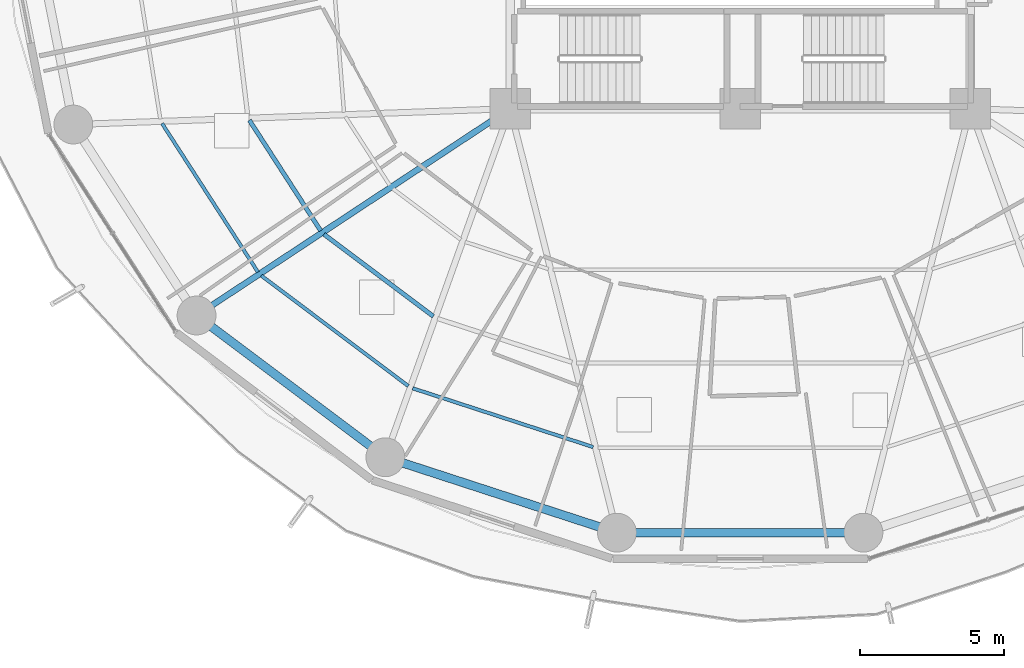
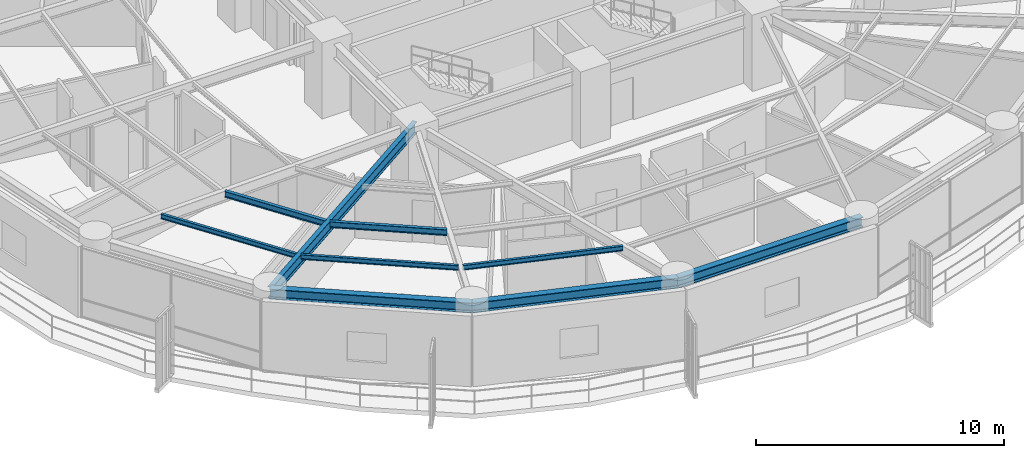
# One storey, part 3 of 35: 9 beams.
"""IFC4 building model written with IfcOpenShell, lengths in metres."""

from ifc_helpers import new_model, si_unit, direction, frame, origin, origin_2d, place, context, subcontext, project, spatial, i_section, extrude, material, material_profile, profile_set, type_object, element, save


model = new_model("IFC4")

# Units and contexts
model_context = context("Model", 3, precision=1e-05, world=origin(), true_north=direction((0.0, 1.0)))
body_context = subcontext(model_context, "Body", "Model", "MODEL_VIEW")
ifc_project = project(units=[si_unit("LENGTHUNIT", "METRE"), si_unit("AREAUNIT", "SQUARE_METRE"), si_unit("VOLUMEUNIT", "CUBIC_METRE"), si_unit("PLANEANGLEUNIT", "RADIAN"), si_unit("MASSUNIT", "GRAM", prefix="KILO")], contexts=[model_context])

# Site, building, storey
site_placement = place(None, origin())
site = spatial("IfcSite", under=ifc_project, at=site_placement, CompositionType="ELEMENT")
building_placement = place(site_placement, origin())
building = spatial("IfcBuilding", under=site, at=building_placement, Name="Kelanora Arch Commons", CompositionType="ELEMENT")
storey_placement = place(building_placement, frame((0.0, 0.0, 91.35009765625)))
storey = spatial("IfcBuildingStorey", under=building, at=storey_placement, Name="L23", CompositionType="ELEMENT", Elevation=91.35009765625)

# Beams
ifc_material = material(Name="Steel S355", Category="steel")
ifc_material_profile_1 = material_profile(ifc_material, i_section(OverallWidth=0.14990234375, OverallDepth=0.300048828125, WebThickness=0.007080078125, FlangeThickness=0.0107421875, FilletRadius=0.014892578125, at=origin_2d()), Name="IPE300")
ifc_profile_set_1 = profile_set([ifc_material_profile_1], Name="Steel S355")
beam_type_1 = type_object("IfcBeamType", Name="BM-JST-01", PredefinedType="JOIST", material=ifc_profile_set_1)
beam_1_placement = place(storey_placement, frame((56.93115234375, 50.597412109375, 3.33984375), z_axis=(0.542230243286, -0.840229946661, 0.0), x_axis=(0.840229946661, 0.542230243286, 0.0)))
element("IfcBeam", 1, at=beam_1_placement, inside=storey, type_object=beam_type_1, Name="Secondary Chord Joist BJB-20 L23", PredefinedType="JOIST", context=body_context, shape_type="SweptSolid", body=[
    extrude(i_section(OverallWidth=0.14990234375, OverallDepth=0.300048828125, WebThickness=0.007080078125, FlangeThickness=0.0107421875, FilletRadius=0.014892578125, at=origin_2d()), origin(), (0.0, 0.0, 1.0), 4.572265625),
])
beam_2_placement = place(storey_placement, frame((59.5244140625, 46.63330078125, 3.33984375), z_axis=(0.79971039107, -0.600385951214, 0.0), x_axis=(0.600385951214, 0.79971039107, 0.0)))
element("IfcBeam", 2, at=beam_2_placement, inside=storey, type_object=beam_type_1, Name="Secondary Chord Joist BJB-22 L23", PredefinedType="JOIST", context=body_context, shape_type="SweptSolid", body=[
    extrude(i_section(OverallWidth=0.14990234375, OverallDepth=0.300048828125, WebThickness=0.007080078125, FlangeThickness=0.0107421875, FilletRadius=0.014892578125, at=origin_2d()), origin(), (0.0, 0.0, 1.0), 4.756103515625),
])
ifc_material_profile_2 = material_profile(ifc_material, i_section(OverallWidth=0.1201171875, OverallDepth=0.239990234375, WebThickness=0.006103515625, FlangeThickness=0.009765625, FilletRadius=0.014892578125, at=origin_2d()), Name="IPE240")
ifc_profile_set_2 = profile_set([ifc_material_profile_2], Name="Steel S355")
beam_type_2 = type_object("IfcBeamType", Name="BM-JST-02", PredefinedType="JOIST", material=ifc_profile_set_2)
beam_3_placement = place(storey_placement, frame((53.892822265625, 50.487060546875, 3.369873046875), z_axis=(0.542212726273, -0.840241250754, 0.0), x_axis=(0.840241250754, 0.542212726273, 0.0)))
element("IfcBeam", 3, at=beam_3_placement, inside=storey, type_object=beam_type_2, Name="Secondary Chord Joist BJC-20 L23", PredefinedType="JOIST", context=body_context, shape_type="SweptSolid", body=[
    extrude(i_section(OverallWidth=0.1201171875, OverallDepth=0.239990234375, WebThickness=0.006103515625, FlangeThickness=0.009765625, FilletRadius=0.014892578125, at=origin_2d()), origin(), (0.0, 0.0, 1.0), 6.15283203125),
])
beam_4_placement = place(storey_placement, frame((57.34326171875, 45.194580078125, 3.369873046875), z_axis=(0.799734335646, -0.600354055861, 0.0), x_axis=(0.600354055861, 0.799734335646, 0.0)))
element("IfcBeam", 4, at=beam_4_placement, inside=storey, type_object=beam_type_2, Name="Secondary Chord Joist BJC-22 L23", PredefinedType="JOIST", context=body_context, shape_type="SweptSolid", body=[
    extrude(i_section(OverallWidth=0.1201171875, OverallDepth=0.239990234375, WebThickness=0.006103515625, FlangeThickness=0.009765625, FilletRadius=0.014892578125, at=origin_2d()), origin(), (0.0, 0.0, 1.0), 6.39794921875),
])
beam_5_placement = place(storey_placement, frame((62.60888671875, 41.276123046875, 3.369873046875), z_axis=(0.950862829272, -0.309612467301, 0.0), x_axis=(0.309612467301, 0.950862829272, 0.0)))
element("IfcBeam", 5, at=beam_5_placement, inside=storey, type_object=beam_type_2, Name="Secondary Chord Joist BJC-24 L23", PredefinedType="JOIST", context=body_context, shape_type="SweptSolid", body=[
    extrude(i_section(OverallWidth=0.1201171875, OverallDepth=0.239990234375, WebThickness=0.006103515625, FlangeThickness=0.009765625, FilletRadius=0.014892578125, at=origin_2d()), origin(), (0.0, 0.0, 1.0), 6.6064453125),
])
ifc_material_profile_3 = material_profile(ifc_material, i_section(OverallWidth=0.2099609375, OverallDepth=0.550048828125, WebThickness=0.010986328125, FlangeThickness=0.01708984375, FilletRadius=0.02392578125, at=origin_2d()), Name="IPE550")
ifc_profile_set_3 = profile_set([ifc_material_profile_3], Name="Steel S355")
beam_type_3 = type_object("IfcBeamType", Name="BM-RAD-Z2", PredefinedType="BEAM", material=ifc_profile_set_3)
beam_6_placement = place(storey_placement, frame((66.0, 51.0, 3.21484375), z_axis=(-0.834788577908, -0.550570640512, 0.0), x_axis=(0.550570640512, -0.834788577908, 0.0)))
element("IfcBeam", 6, at=beam_6_placement, inside=storey, type_object=beam_type_3, Name="Radial Floor Girder BR-22 L23", PredefinedType="BEAM", context=body_context, shape_type="SweptSolid", body=[
    extrude(i_section(OverallWidth=0.2099609375, OverallDepth=0.550048828125, WebThickness=0.010986328125, FlangeThickness=0.01708984375, FilletRadius=0.02392578125, at=origin_2d()), origin(), (0.0, 0.0, 1.0), 13.064453125),
])
ifc_material_profile_4 = material_profile(ifc_material, i_section(OverallWidth=0.300048828125, OverallDepth=0.5, WebThickness=0.014404296875, FlangeThickness=0.028076171875, FilletRadius=0.027099609375, at=origin_2d()), Name="HEB500")
ifc_profile_set_4 = profile_set([ifc_material_profile_4], Name="Steel S355")
beam_type_4 = type_object("IfcBeamType", Name="BM-SPN-Z2", PredefinedType="SPANDREL", material=ifc_profile_set_4)
beam_7_placement = place(storey_placement, frame((55.093994140625, 43.80712890625, 3.239990234375), z_axis=(0.799735861602, -0.600352023123, 0.0), x_axis=(0.600352023123, 0.799735861602, 0.0)))
element("IfcBeam", 7, at=beam_7_placement, inside=storey, type_object=beam_type_4, Name="Perimeter Spandrel Beam BS-22 L23", PredefinedType="SPANDREL", context=body_context, shape_type="SweptSolid", body=[
    extrude(i_section(OverallWidth=0.300048828125, OverallDepth=0.5, WebThickness=0.014404296875, FlangeThickness=0.028076171875, FilletRadius=0.027099609375, at=origin_2d()), origin(), (0.0, 0.0, 1.0), 8.210205078125),
])
beam_8_placement = place(storey_placement, frame((61.659912109375, 38.878173828125, 3.239990234375), z_axis=(0.950856631974, -0.309631499418, 0.0), x_axis=(0.309631499418, 0.950856631974, 0.0)))
element("IfcBeam", 8, at=beam_8_placement, inside=storey, type_object=beam_type_4, Name="Perimeter Spandrel Beam BS-24 L23", PredefinedType="SPANDREL", context=body_context, shape_type="SweptSolid", body=[
    extrude(i_section(OverallWidth=0.300048828125, OverallDepth=0.5, WebThickness=0.014404296875, FlangeThickness=0.028076171875, FilletRadius=0.027099609375, at=origin_2d()), origin(), (0.0, 0.0, 1.0), 8.470703125),
])
beam_9_placement = place(storey_placement, frame((69.71435546875, 36.25537109375, 3.239990234375), z_axis=(1.0, 0.0, 0.0), x_axis=(0.0, 1.0, 0.0)))
element("IfcBeam", 9, at=beam_9_placement, inside=storey, type_object=beam_type_4, Name="Perimeter Spandrel Beam BS-26 L23", PredefinedType="SPANDREL", context=body_context, shape_type="SweptSolid", body=[
    extrude(i_section(OverallWidth=0.300048828125, OverallDepth=0.5, WebThickness=0.014404296875, FlangeThickness=0.028076171875, FilletRadius=0.027099609375, at=origin_2d()), origin(), (0.0, 0.0, 1.0), 8.5712890625),
])

save(model, "model.ifc")
